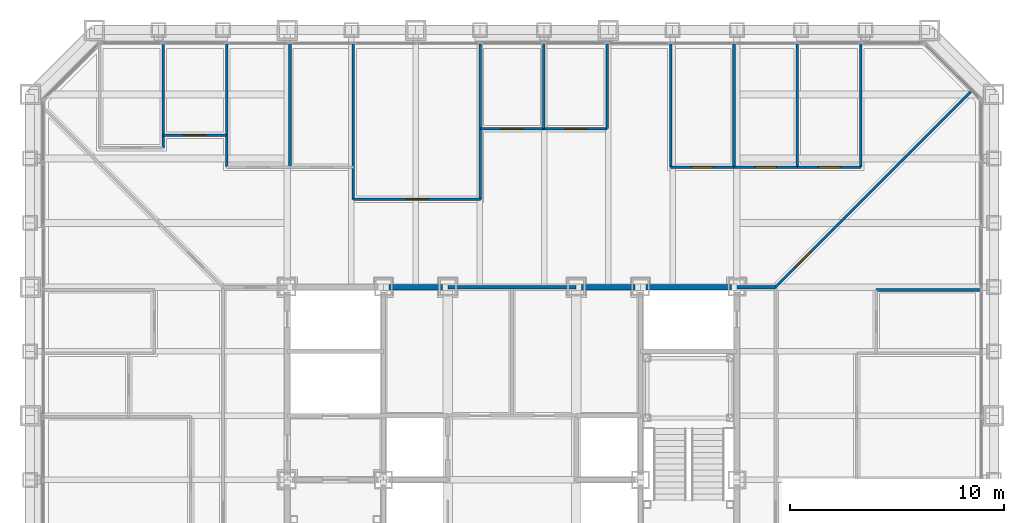
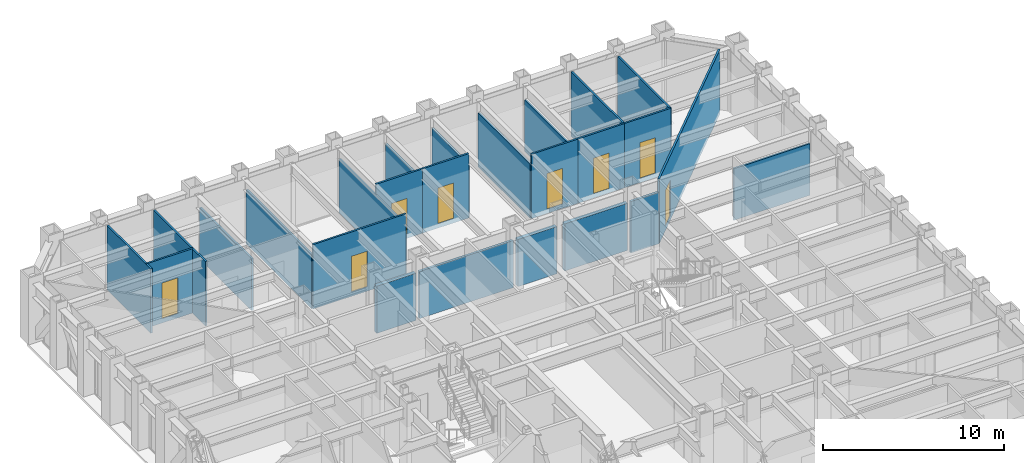
# One storey, part 11 of 17: 25 walls, 8 doors, 8 openings.
"""IFC4 building model written with IfcOpenShell, lengths in metres."""

from ifc_helpers import new_model, si_unit, direction, frame, frame_2d, origin, place, context, subcontext, project, spatial, rectangle, extrude, material, layer, layer_set, type_object, element, fill, save


model = new_model("IFC4")

# Units and contexts
model_context = context("Model", 3, precision=1e-05, world=origin(), true_north=direction((0.0, 1.0)))
body_context = subcontext(model_context, "Body", "Model", "MODEL_VIEW")
ifc_project = project(units=[si_unit("LENGTHUNIT", "METRE"), si_unit("AREAUNIT", "SQUARE_METRE"), si_unit("VOLUMEUNIT", "CUBIC_METRE"), si_unit("PLANEANGLEUNIT", "RADIAN"), si_unit("MASSUNIT", "GRAM", prefix="KILO")], contexts=[model_context])

# Site, building, storey
site_placement = place(None, origin())
site = spatial("IfcSite", under=ifc_project, at=site_placement, CompositionType="ELEMENT")
building_placement = place(site_placement, origin())
building = spatial("IfcBuilding", under=site, at=building_placement, Name="Chuquiago Exchange Tower", CompositionType="ELEMENT")
storey_placement = place(building_placement, frame((0.0, 0.0, 37.800048828125)))
storey = spatial("IfcBuildingStorey", under=building, at=storey_placement, Name="L07", CompositionType="ELEMENT", Elevation=37.800048828125)

# Walls
ifc_material_1 = material(Name="Concrete masonry, fully grouted", Category="masonry")
ifc_layer_1 = layer(ifc_material_1, 0.25)
ifc_layer_set_1 = layer_set([ifc_layer_1], Name="W1 core wall 250")
wall_type_1 = type_object("IfcWallType", Name="W1 core wall 250", PredefinedType="SOLIDWALL", material=ifc_layer_set_1)
for number, where, z_axis, x_axis, name in (
    (1, (16.75, 33.0, 0.0), (0.0, 0.0, 1.0), (1.0, 0.0, 0.0), "CW-L07-11-1"),
    (2, (25.75, 33.0, 0.0), (0.0, 0.0, 1.0), (1.0, 0.0, 0.0), "CW-L07-12-0"),
):
    element("IfcWall", number, at=place(storey_placement, frame(where, z_axis=z_axis, x_axis=x_axis)), inside=storey, type_object=wall_type_1, Name=name, PredefinedType="SOLIDWALL", context=body_context, shape_type="SweptSolid", body=[
        extrude(rectangle(XDim=2.5, YDim=0.25, at=frame_2d((1.25, 0.0))), origin(), (0.0, 0.0, 1.0), 3.181396484375),
    ])
wall_1_placement = place(storey_placement, frame((28.75, 33.0, 0.0), z_axis=(0.0, 0.0, 1.0), x_axis=(1.0, 0.0, 0.0)))
element("IfcWall", 3, at=wall_1_placement, inside=storey, type_object=wall_type_1, Name="CW-L07-12-1", PredefinedType="SOLIDWALL", context=body_context, shape_type="SweptSolid", body=[
    extrude(rectangle(XDim=4.0, YDim=0.25, at=frame_2d((2.0, 0.0))), origin(), (0.0, 0.0, 1.0), 3.181396484375),
])
ifc_material_2 = material(Name="Gypsum board on steel studs, acoustic insulation", Category="steel")
ifc_layer_2 = layer(ifc_material_2, 0.14990234375)
ifc_layer_set_2 = layer_set([ifc_layer_2], Name="W11 corridor wall 150")
wall_type_2 = type_object("IfcWallType", Name="W11 corridor wall 150", PredefinedType="PARTITIONING", material=ifc_layer_set_2)
wall_2_placement = place(storey_placement, frame((33.0, 33.0, -0.300048828125), z_axis=(0.0, 0.0, 1.0), x_axis=(1.0, 0.0, 0.0)))
element("IfcWall", 4, at=wall_2_placement, inside=storey, type_object=wall_type_2, Name="PW-L07-GEN0", PredefinedType="PARTITIONING", context=body_context, shape_type="SweptSolid", body=[
    extrude(rectangle(XDim=1.800048828125, YDim=0.14990234375, at=frame_2d((0.89990234375, 0.0))), origin(), (0.0, 0.0, 1.0), 3.4814453125),
])
ifc_material_3 = material(Name="Gypsum board on steel studs", Category="steel")
ifc_layer_3 = layer(ifc_material_3, 0.14990234375)
ifc_layer_set_3 = layer_set([ifc_layer_3], Name="W3 core partition 150")
wall_type_3 = type_object("IfcWallType", Name="W3 core partition 150", PredefinedType="PARTITIONING", material=ifc_layer_set_3)
wall_3_placement = place(storey_placement, frame((19.5, 33.0, 0.0), z_axis=(0.0, 0.0, 1.0), x_axis=(1.0, 0.0, 0.0)))
element("IfcWall", 5, at=wall_3_placement, inside=storey, type_object=wall_type_3, Name="CW-L07-TB", PredefinedType="PARTITIONING", context=body_context, shape_type="SweptSolid", body=[
    extrude(rectangle(XDim=6.0, YDim=0.14990234375, at=frame_2d((3.0, 0.0))), origin(), (0.0, 0.0, 1.0), 3.181396484375),
])
ifc_material_4 = material(Name="Gypsum board on steel studs", Category="steel")
ifc_layer_4 = layer(ifc_material_4, 0.1201171875)
ifc_layer_set_4 = layer_set([ifc_layer_4], Name="W4 partition 120")
wall_type_4 = type_object("IfcWallType", Name="W4 partition 120", PredefinedType="PARTITIONING", material=ifc_layer_set_4)
wall_4_placement = place(storey_placement, frame((44.342529296875, 32.8662109375, -0.300048828125), z_axis=(0.0, 0.0, 1.0), x_axis=(-1.0, 0.0, 0.0)))
element("IfcWall", 6, at=wall_4_placement, inside=storey, type_object=wall_type_4, Name="PW-L07-E03287", PredefinedType="PARTITIONING", context=body_context, shape_type="SweptSolid", body=[
    extrude(rectangle(XDim=4.842529296875, YDim=0.1201171875, at=frame_2d((2.42138671875, 0.0))), origin(), (0.0, 0.0, 1.0), 3.4814453125),
])
wall_5_placement = place(storey_placement, frame((6.210205078125, 44.342529296875, -0.300048828125), z_axis=(0.0, 0.0, 1.0), x_axis=(0.0, -1.0, 0.0)))
element("IfcWall", 7, at=wall_5_placement, inside=storey, type_object=wall_type_4, Name="PW-L07-N00621", PredefinedType="PARTITIONING", context=body_context, shape_type="SweptSolid", body=[
    extrude(rectangle(XDim=4.842529296875, YDim=0.1201171875, at=frame_2d((2.42138671875, 0.0))), origin(), (0.0, 0.0, 1.0), 4.340087890625),
])
wall_6_placement = place(storey_placement, frame((9.172119140625, 44.342529296875, -0.300048828125), z_axis=(0.0, 0.0, 1.0), x_axis=(0.0, -1.0, 0.0)))
element("IfcWall", 8, at=wall_6_placement, inside=storey, type_object=wall_type_4, Name="PW-L07-N00917", PredefinedType="PARTITIONING", context=body_context, shape_type="SweptSolid", body=[
    extrude(rectangle(XDim=5.742431640625, YDim=0.1201171875, at=frame_2d((2.87109375, 0.0))), origin(), (0.0, 0.0, 1.0), 4.340087890625),
])
wall_7_placement = place(storey_placement, frame((12.1337890625, 44.342529296875, -0.300048828125), z_axis=(0.0, 0.0, 1.0), x_axis=(0.0, -1.0, 0.0)))
element("IfcWall", 9, at=wall_7_placement, inside=storey, type_object=wall_type_4, Name="PW-L07-N01213", PredefinedType="PARTITIONING", context=body_context, shape_type="SweptSolid", body=[
    extrude(rectangle(XDim=5.742431640625, YDim=0.1201171875, at=frame_2d((2.87109375, 0.0))), origin(), (0.0, 0.0, 1.0), 3.4814453125),
])
for number, where, z_axis, x_axis, name in (
    (10, (15.095703125, 44.342529296875, -0.300048828125), (0.0, 0.0, 1.0), (0.0, -1.0, 0.0), "PW-L07-N01510"),
    (11, (21.01904296875, 44.342529296875, -0.300048828125), (0.0, 0.0, 1.0), (0.0, -1.0, 0.0), "PW-L07-N02102"),
):
    element("IfcWall", number, at=place(storey_placement, frame(where, z_axis=z_axis, x_axis=x_axis)), inside=storey, type_object=wall_type_4, Name=name, PredefinedType="PARTITIONING", context=body_context, shape_type="SweptSolid", body=[
        extrude(rectangle(XDim=7.242431640625, YDim=0.1201171875, at=frame_2d((3.62109375, 0.0))), origin(), (0.0, 0.0, 1.0), 3.646484375),
    ])
for number, where, z_axis, x_axis, name in (
    (12, (23.98095703125, 44.342529296875, -0.300048828125), (0.0, 0.0, 1.0), (0.0, -1.0, 0.0), "PW-L07-N02398"),
    (13, (26.942626953125, 44.342529296875, -0.300048828125), (0.0, 0.0, 1.0), (0.0, -1.0, 0.0), "PW-L07-N02694"),
):
    element("IfcWall", number, at=place(storey_placement, frame(where, z_axis=z_axis, x_axis=x_axis)), inside=storey, type_object=wall_type_4, Name=name, PredefinedType="PARTITIONING", context=body_context, shape_type="SweptSolid", body=[
        extrude(rectangle(XDim=3.942626953125, YDim=0.1201171875, at=frame_2d((1.97119140625, 0.0))), origin(), (0.0, 0.0, 1.0), 3.646484375),
    ])
wall_8_placement = place(storey_placement, frame((29.904296875, 44.342529296875, -0.300048828125), z_axis=(0.0, 0.0, 1.0), x_axis=(0.0, -1.0, 0.0)))
element("IfcWall", 14, at=wall_8_placement, inside=storey, type_object=wall_type_4, Name="PW-L07-N02990", PredefinedType="PARTITIONING", context=body_context, shape_type="SweptSolid", body=[
    extrude(rectangle(XDim=5.742431640625, YDim=0.1201171875, at=frame_2d((2.87109375, 0.0))), origin(), (0.0, 0.0, 1.0), 3.646484375),
])
wall_9_placement = place(storey_placement, frame((32.8662109375, 44.342529296875, -0.300048828125), z_axis=(0.0, 0.0, 1.0), x_axis=(0.0, -1.0, 0.0)))
element("IfcWall", 15, at=wall_9_placement, inside=storey, type_object=wall_type_4, Name="PW-L07-N03287", PredefinedType="PARTITIONING", context=body_context, shape_type="SweptSolid", body=[
    extrude(rectangle(XDim=5.742431640625, YDim=0.1201171875, at=frame_2d((2.87109375, 0.0))), origin(), (0.0, 0.0, 1.0), 3.4814453125),
])
for number, where, z_axis, x_axis, name in (
    (16, (35.827880859375, 44.342529296875, -0.300048828125), (0.0, 0.0, 1.0), (0.0, -1.0, 0.0), "PW-L07-N03583"),
    (17, (38.789794921875, 44.342529296875, -0.300048828125), (0.0, 0.0, 1.0), (0.0, -1.0, 0.0), "PW-L07-N03879"),
):
    element("IfcWall", number, at=place(storey_placement, frame(where, z_axis=z_axis, x_axis=x_axis)), inside=storey, type_object=wall_type_4, Name=name, PredefinedType="PARTITIONING", context=body_context, shape_type="SweptSolid", body=[
        extrude(rectangle(XDim=5.742431640625, YDim=0.1201171875, at=frame_2d((2.87109375, 0.0))), origin(), (0.0, 0.0, 1.0), 4.340087890625),
    ])

# Wall, opening, door
wall_10_placement = place(storey_placement, frame((6.210205078125, 40.10009765625, -0.300048828125), z_axis=(0.0, 0.0, 1.0), x_axis=(1.0, 0.0, 0.0)))
wall_10 = element("IfcWall", 18, at=wall_10_placement, inside=storey, type_object=wall_type_4, Name="PW-L07-NF00621", PredefinedType="PARTITIONING", context=body_context, shape_type="SweptSolid", body=[
    extrude(rectangle(XDim=2.9619140625, YDim=0.1201171875, at=frame_2d((1.48095703125, 0.0))), origin(), (0.0, 0.0, 1.0), 4.340087890625),
])
opening_1_placement = place(wall_10_placement, frame((0.98095703125, 0.0, 0.300048828125)))
opening_1 = element("IfcOpeningElement", 19, at=opening_1_placement, cuts=wall_10, Name="Opening L07-035", PredefinedType="OPENING", context=body_context, shape_type="SweptSolid", body=[
    extrude(rectangle(XDim=1.0, YDim=2.39990234375, at=frame_2d((0.5, 1.199951171875))), frame((0.0, 0.070068359375, 0.0), z_axis=(0.0, -1.0, 0.0), x_axis=(1.0, 0.0, 0.0)), (0.0, 0.0, 1.0), 0.14013671875),
])
ifc_material_5 = material(Name="Timber door, laminate faced", Category="wood")
door_type_1 = type_object("IfcDoorType", Name="D9 room door 1000x2400", OperationType="SINGLE_SWING_LEFT", PredefinedType="DOOR", material=ifc_material_5)
door_1_placement = place(opening_1_placement, origin())
door_1 = element("IfcDoor", 20, at=door_1_placement, inside=storey, type_object=door_type_1, Name="Store door", OperationType="SINGLE_SWING_LEFT", OverallHeight=2.39990234375, OverallWidth=1.0, PredefinedType="DOOR", context=body_context, shape_type="SweptSolid", body=[
    extrude(rectangle(XDim=1.0, YDim=2.39990234375, at=frame_2d((0.5, 1.199951171875))), frame((0.0, 0.02490234375, 0.0), z_axis=(0.0, -1.0, 0.0), x_axis=(1.0, 0.0, 0.0)), (0.0, 0.0, 1.0), 0.050048828125),
])
fill(opening_1, door_1)

wall_11_placement = place(storey_placement, frame((15.095703125, 37.10009765625, -0.300048828125), z_axis=(0.0, 0.0, 1.0), x_axis=(1.0, 0.0, 0.0)))
wall_11 = element("IfcWall", 21, at=wall_11_placement, inside=storey, type_object=wall_type_4, Name="PW-L07-NF01510", PredefinedType="PARTITIONING", context=body_context, shape_type="SweptSolid", body=[
    extrude(rectangle(XDim=5.92333984375, YDim=0.1201171875, at=frame_2d((2.961669921875, 0.0))), origin(), (0.0, 0.0, 1.0), 4.340087890625),
])
opening_2_placement = place(wall_11_placement, frame((2.4619140625, 0.0, 0.300048828125)))
opening_2 = element("IfcOpeningElement", 22, at=opening_2_placement, cuts=wall_11, Name="Opening L07-038", PredefinedType="OPENING", context=body_context, shape_type="SweptSolid", body=[
    extrude(rectangle(XDim=1.0, YDim=2.39990234375, at=frame_2d((0.5, 1.199951171875))), frame((0.0, 0.070068359375, 0.0), z_axis=(0.0, -1.0, 0.0), x_axis=(1.0, 0.0, 0.0)), (0.0, 0.0, 1.0), 0.14013671875),
])
door_2_placement = place(opening_2_placement, origin())
door_2 = element("IfcDoor", 23, at=door_2_placement, inside=storey, type_object=door_type_1, Name="Research office door", OperationType="SINGLE_SWING_RIGHT", OverallHeight=2.39990234375, OverallWidth=1.0, PredefinedType="DOOR", context=body_context, shape_type="SweptSolid", body=[
    extrude(rectangle(XDim=1.0, YDim=2.39990234375, at=frame_2d((0.5, 1.199951171875))), frame((0.0, 0.02490234375, 0.0), z_axis=(0.0, -1.0, 0.0), x_axis=(1.0, 0.0, 0.0)), (0.0, 0.0, 1.0), 0.050048828125),
])
fill(opening_2, door_2)

wall_12_placement = place(storey_placement, frame((21.01904296875, 40.39990234375, -0.300048828125), z_axis=(0.0, 0.0, 1.0), x_axis=(1.0, 0.0, 0.0)))
wall_12 = element("IfcWall", 24, at=wall_12_placement, inside=storey, type_object=wall_type_4, Name="PW-L07-NF02102", PredefinedType="PARTITIONING", context=body_context, shape_type="SweptSolid", body=[
    extrude(rectangle(XDim=2.9619140625, YDim=0.1201171875, at=frame_2d((1.48095703125, 0.0))), origin(), (0.0, 0.0, 1.0), 4.340087890625),
])
opening_3_placement = place(wall_12_placement, frame((0.98095703125, 0.0, 0.300048828125)))
opening_3 = element("IfcOpeningElement", 25, at=opening_3_placement, cuts=wall_12, Name="Opening L07-039", PredefinedType="OPENING", context=body_context, shape_type="SweptSolid", body=[
    extrude(rectangle(XDim=1.0, YDim=2.39990234375, at=frame_2d((0.5, 1.199951171875))), frame((0.0, 0.070068359375, 0.0), z_axis=(0.0, -1.0, 0.0), x_axis=(1.0, 0.0, 0.0)), (0.0, 0.0, 1.0), 0.14013671875),
])
ifc_material_6 = material(Name="Timber frame door, full height glazed panel", Category="wood")
door_type_2 = type_object("IfcDoorType", Name="D14 glazed meeting room door 1000x2400", OperationType="SINGLE_SWING_LEFT", PredefinedType="DOOR", material=ifc_material_6)
door_3_placement = place(opening_3_placement, origin())
door_3 = element("IfcDoor", 26, at=door_3_placement, inside=storey, type_object=door_type_2, Name="Focus room door", OperationType="SINGLE_SWING_RIGHT", OverallHeight=2.39990234375, OverallWidth=1.0, PredefinedType="DOOR", context=body_context, shape_type="SweptSolid", body=[
    extrude(rectangle(XDim=1.0, YDim=2.39990234375, at=frame_2d((0.5, 1.199951171875))), frame((0.0, 0.02490234375, 0.0), z_axis=(0.0, -1.0, 0.0), x_axis=(1.0, 0.0, 0.0)), (0.0, 0.0, 1.0), 0.050048828125),
])
fill(opening_3, door_3)

wall_13_placement = place(storey_placement, frame((23.98095703125, 40.39990234375, -0.300048828125), z_axis=(0.0, 0.0, 1.0), x_axis=(1.0, 0.0, 0.0)))
wall_13 = element("IfcWall", 27, at=wall_13_placement, inside=storey, type_object=wall_type_4, Name="PW-L07-NF02398", PredefinedType="PARTITIONING", context=body_context, shape_type="SweptSolid", body=[
    extrude(rectangle(XDim=2.961669921875, YDim=0.1201171875, at=frame_2d((1.48095703125, 0.0))), origin(), (0.0, 0.0, 1.0), 4.340087890625),
])
opening_4_placement = place(wall_13_placement, frame((0.98095703125, 0.0, 0.300048828125)))
opening_4 = element("IfcOpeningElement", 28, at=opening_4_placement, cuts=wall_13, Name="Opening L07-040", PredefinedType="OPENING", context=body_context, shape_type="SweptSolid", body=[
    extrude(rectangle(XDim=1.0, YDim=2.39990234375, at=frame_2d((0.5, 1.199951171875))), frame((0.0, 0.070068359375, 0.0), z_axis=(0.0, -1.0, 0.0), x_axis=(1.0, 0.0, 0.0)), (0.0, 0.0, 1.0), 0.14013671875),
])
door_4_placement = place(opening_4_placement, origin())
door_4 = element("IfcDoor", 29, at=door_4_placement, inside=storey, type_object=door_type_2, Name="Focus room door", OperationType="SINGLE_SWING_RIGHT", OverallHeight=2.39990234375, OverallWidth=1.0, PredefinedType="DOOR", context=body_context, shape_type="SweptSolid", body=[
    extrude(rectangle(XDim=1.0, YDim=2.39990234375, at=frame_2d((0.5, 1.199951171875))), frame((0.0, 0.02490234375, 0.0), z_axis=(0.0, -1.0, 0.0), x_axis=(1.0, 0.0, 0.0)), (0.0, 0.0, 1.0), 0.050048828125),
])
fill(opening_4, door_4)

wall_14_placement = place(storey_placement, frame((29.904296875, 38.60009765625, -0.300048828125), z_axis=(0.0, 0.0, 1.0), x_axis=(1.0, 0.0, 0.0)))
wall_14 = element("IfcWall", 30, at=wall_14_placement, inside=storey, type_object=wall_type_4, Name="PW-L07-NF02990", PredefinedType="PARTITIONING", context=body_context, shape_type="SweptSolid", body=[
    extrude(rectangle(XDim=2.9619140625, YDim=0.1201171875, at=frame_2d((1.48095703125, 0.0))), origin(), (0.0, 0.0, 1.0), 4.340087890625),
])
opening_5_placement = place(wall_14_placement, frame((0.98095703125, 0.0, 0.300048828125)))
opening_5 = element("IfcOpeningElement", 31, at=opening_5_placement, cuts=wall_14, Name="Opening L07-041", PredefinedType="OPENING", context=body_context, shape_type="SweptSolid", body=[
    extrude(rectangle(XDim=1.0, YDim=2.39990234375, at=frame_2d((0.5, 1.199951171875))), frame((0.0, 0.070068359375, 0.0), z_axis=(0.0, -1.0, 0.0), x_axis=(1.0, 0.0, 0.0)), (0.0, 0.0, 1.0), 0.14013671875),
])
door_5_placement = place(opening_5_placement, origin())
door_5 = element("IfcDoor", 32, at=door_5_placement, inside=storey, type_object=door_type_1, Name="Compliance office door", OperationType="SINGLE_SWING_LEFT", OverallHeight=2.39990234375, OverallWidth=1.0, PredefinedType="DOOR", context=body_context, shape_type="SweptSolid", body=[
    extrude(rectangle(XDim=1.0, YDim=2.39990234375, at=frame_2d((0.5, 1.199951171875))), frame((0.0, 0.02490234375, 0.0), z_axis=(0.0, -1.0, 0.0), x_axis=(1.0, 0.0, 0.0)), (0.0, 0.0, 1.0), 0.050048828125),
])
fill(opening_5, door_5)

wall_15_placement = place(storey_placement, frame((32.8662109375, 38.60009765625, -0.300048828125), z_axis=(0.0, 0.0, 1.0), x_axis=(1.0, 0.0, 0.0)))
wall_15 = element("IfcWall", 33, at=wall_15_placement, inside=storey, type_object=wall_type_4, Name="PW-L07-NF03287", PredefinedType="PARTITIONING", context=body_context, shape_type="SweptSolid", body=[
    extrude(rectangle(XDim=2.961669921875, YDim=0.1201171875, at=frame_2d((1.48095703125, 0.0))), origin(), (0.0, 0.0, 1.0), 4.340087890625),
])
opening_6_placement = place(wall_15_placement, frame((0.98095703125, 0.0, 0.300048828125)))
opening_6 = element("IfcOpeningElement", 34, at=opening_6_placement, cuts=wall_15, Name="Opening L07-042", PredefinedType="OPENING", context=body_context, shape_type="SweptSolid", body=[
    extrude(rectangle(XDim=1.0, YDim=2.39990234375, at=frame_2d((0.5, 1.199951171875))), frame((0.0, 0.070068359375, 0.0), z_axis=(0.0, -1.0, 0.0), x_axis=(1.0, 0.0, 0.0)), (0.0, 0.0, 1.0), 0.14013671875),
])
door_6_placement = place(opening_6_placement, origin())
door_6 = element("IfcDoor", 35, at=door_6_placement, inside=storey, type_object=door_type_1, Name="Compliance office door", OperationType="SINGLE_SWING_RIGHT", OverallHeight=2.39990234375, OverallWidth=1.0, PredefinedType="DOOR", context=body_context, shape_type="SweptSolid", body=[
    extrude(rectangle(XDim=1.0, YDim=2.39990234375, at=frame_2d((0.5, 1.199951171875))), frame((0.0, 0.02490234375, 0.0), z_axis=(0.0, -1.0, 0.0), x_axis=(1.0, 0.0, 0.0)), (0.0, 0.0, 1.0), 0.050048828125),
])
fill(opening_6, door_6)

wall_16_placement = place(storey_placement, frame((35.827880859375, 38.60009765625, -0.300048828125), z_axis=(0.0, 0.0, 1.0), x_axis=(1.0, 0.0, 0.0)))
wall_16 = element("IfcWall", 36, at=wall_16_placement, inside=storey, type_object=wall_type_4, Name="PW-L07-NF03583", PredefinedType="PARTITIONING", context=body_context, shape_type="SweptSolid", body=[
    extrude(rectangle(XDim=2.9619140625, YDim=0.1201171875, at=frame_2d((1.48095703125, 0.0))), origin(), (0.0, 0.0, 1.0), 4.340087890625),
])
opening_7_placement = place(wall_16_placement, frame((0.98095703125, 0.0, 0.300048828125)))
opening_7 = element("IfcOpeningElement", 37, at=opening_7_placement, cuts=wall_16, Name="Opening L07-043", PredefinedType="OPENING", context=body_context, shape_type="SweptSolid", body=[
    extrude(rectangle(XDim=1.0, YDim=2.39990234375, at=frame_2d((0.5, 1.199951171875))), frame((0.0, 0.070068359375, 0.0), z_axis=(0.0, -1.0, 0.0), x_axis=(1.0, 0.0, 0.0)), (0.0, 0.0, 1.0), 0.14013671875),
])
door_7_placement = place(opening_7_placement, origin())
door_7 = element("IfcDoor", 38, at=door_7_placement, inside=storey, type_object=door_type_1, Name="Office door", OperationType="SINGLE_SWING_LEFT", OverallHeight=2.39990234375, OverallWidth=1.0, PredefinedType="DOOR", context=body_context, shape_type="SweptSolid", body=[
    extrude(rectangle(XDim=1.0, YDim=2.39990234375, at=frame_2d((0.5, 1.199951171875))), frame((0.0, 0.02490234375, 0.0), z_axis=(0.0, -1.0, 0.0), x_axis=(1.0, 0.0, 0.0)), (0.0, 0.0, 1.0), 0.050048828125),
])
fill(opening_7, door_7)

wall_17_placement = place(storey_placement, frame((34.800048828125, 33.0, -0.300048828125), z_axis=(0.0, 0.0, 1.0), x_axis=(0.707106781187, 0.707106781187, 0.0)))
wall_17 = element("IfcWall", 39, at=wall_17_placement, inside=storey, type_object=wall_type_4, Name="PW-L07-QNE", PredefinedType="PARTITIONING", context=body_context, shape_type="SweptSolid", body=[
    extrude(rectangle(XDim=12.9443359375, YDim=0.1201171875, at=frame_2d((6.47216796875, 0.0))), origin(), (0.0, 0.0, 1.0), 4.340087890625),
])
opening_8_placement = place(wall_17_placement, frame((1.300048828125, 0.0, 0.300048828125)))
opening_8 = element("IfcOpeningElement", 40, at=opening_8_placement, cuts=wall_17, Name="Opening L07-054", PredefinedType="OPENING", context=body_context, shape_type="SweptSolid", body=[
    extrude(rectangle(XDim=1.0, YDim=2.39990234375, at=frame_2d((0.5, 1.199951171875))), frame((0.0, 0.070068359375, 0.0), z_axis=(0.0, -1.0, 0.0), x_axis=(1.0, 0.0, 0.0)), (0.0, 0.0, 1.0), 0.14013671875),
])
door_8_placement = place(opening_8_placement, frame((1.0, 0.0, 0.0), z_axis=(0.0, 0.0, 1.0), x_axis=(-1.0, 0.0, 0.0)))
door_8 = element("IfcDoor", 41, at=door_8_placement, inside=storey, type_object=door_type_1, Name="Team area door", OperationType="SINGLE_SWING_RIGHT", OverallHeight=2.39990234375, OverallWidth=1.0, PredefinedType="DOOR", context=body_context, shape_type="SweptSolid", body=[
    extrude(rectangle(XDim=1.0, YDim=2.39990234375, at=frame_2d((0.5, 1.199951171875))), frame((0.0, 0.02490234375, 0.0), z_axis=(0.0, -1.0, 0.0), x_axis=(1.0, 0.0, 0.0)), (0.0, 0.0, 1.0), 0.050048828125),
])
fill(opening_8, door_8)

save(model, "model.ifc")
